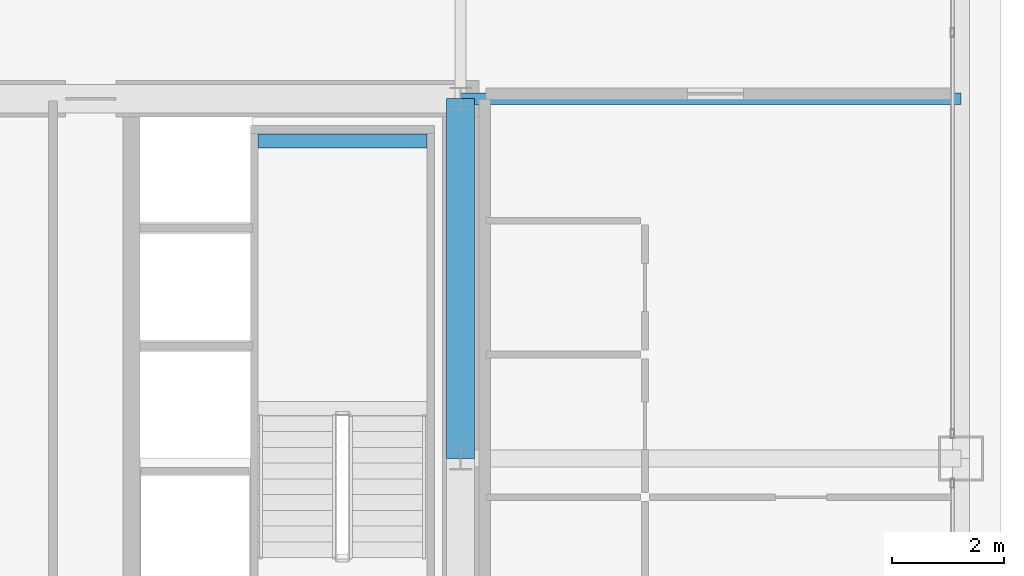
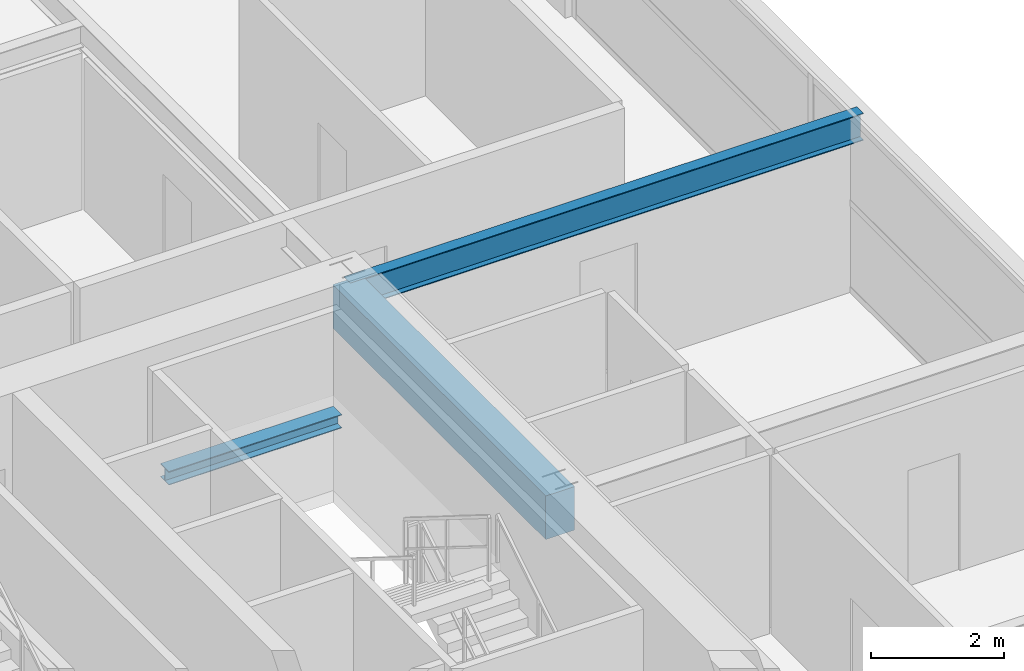
# One storey, part 24 of 42: 3 beams.
"""IFC4 building model written with IfcOpenShell, lengths in metres."""

from ifc_helpers import new_model, si_unit, direction, frame, origin, origin_2d, place, context, subcontext, project, spatial, rectangle, i_section, extrude, source, transform, mapped, material, material_profile, profile_set, type_object, element, save


model = new_model("IFC4")

# Units and contexts
model_context = context("Model", 3, precision=1e-05, world=origin(), true_north=direction((0.0, 1.0)))
body_context = subcontext(model_context, "Body", "Model", "MODEL_VIEW")
ifc_project = project(units=[si_unit("LENGTHUNIT", "METRE"), si_unit("AREAUNIT", "SQUARE_METRE"), si_unit("VOLUMEUNIT", "CUBIC_METRE"), si_unit("PLANEANGLEUNIT", "RADIAN"), si_unit("MASSUNIT", "GRAM", prefix="KILO"), si_unit("THERMODYNAMICTEMPERATUREUNIT", "KELVIN"), si_unit("POWERUNIT", "WATT")], contexts=[model_context])

# Site, building, storey
site_placement = place(None, origin())
site = spatial("IfcSite", under=ifc_project, at=site_placement, CompositionType="ELEMENT")
building_placement = place(site_placement, origin())
building = spatial("IfcBuilding", under=site, at=building_placement, Name="Yuzanri Waterfront Tower", CompositionType="ELEMENT")
storey_placement = place(building_placement, frame((0.0, 0.0, 184.5)))
storey = spatial("IfcBuildingStorey", under=building, at=storey_placement, Name="L48", CompositionType="ELEMENT", Elevation=184.5)

# Beams
ifc_material_1 = material(Name="Steel Q355B", Category="steel")
ifc_material_profile_1 = material_profile(ifc_material_1, i_section(OverallWidth=0.199951171875, OverallDepth=0.5, WebThickness=0.010009765625, FlangeThickness=0.01611328125, at=origin_2d()), Name="HN 500x200x10x16")
ifc_profile_set_1 = profile_set([ifc_material_profile_1], Name="Steel Q355B")
beam_type_1 = type_object("IfcBeamType", Name="Secondary Floor Beam Q355B HN 500x200", PredefinedType="BEAM", material=ifc_profile_set_1)
shared_shape_1 = source(origin(), body_context, "Body", "SweptSolid", [
    extrude(i_section(OverallWidth=0.199951171875, OverallDepth=0.5, WebThickness=0.010009765625, FlangeThickness=0.01611328125, at=origin_2d()), origin(), (0.0, 0.0, 1.0), 8.900146484375),
])
beam_1_placement = place(storey_placement, frame((50.199951171875, 32.199951171875, 3.030029296875), z_axis=(1.0, 0.0, 0.0), x_axis=(0.0, 1.0, 0.0)))
element("IfcBeam", 1, at=beam_1_placement, inside=storey, type_object=beam_type_1, Name="L48 East-North Core Line Beam", PredefinedType="BEAM", context=body_context, shape_type="MappedRepresentation", body=[
    mapped(shared_shape_1, transform((0.0, 0.0, 0.0), scale=1.0)),
])
ifc_material_2 = material(Name="Concrete C50", Category="concrete")
ifc_material_profile_2 = material_profile(ifc_material_2, rectangle(XDim=0.5, YDim=0.800048828125, at=origin_2d()), Name="RC 500x800")
ifc_profile_set_2 = profile_set([ifc_material_profile_2], Name="Concrete C50")
beam_type_2 = type_object("IfcBeamType", Name="Core Coupling Lintel Concrete C50 500x800", PredefinedType="LINTEL", material=ifc_profile_set_2)
shared_shape_2 = source(origin(), body_context, "Body", "SweptSolid", [
    extrude(rectangle(XDim=0.5, YDim=0.800048828125, at=origin_2d()), origin(), (0.0, 0.0, 1.0), 6.39990234375),
])
beam_2_placement = place(storey_placement, frame((50.199951171875, 25.800048828125, 2.8798828125), z_axis=(0.0, 1.0, 0.0), x_axis=(-1.0, 0.0, 0.0)))
element("IfcBeam", 2, at=beam_2_placement, inside=storey, type_object=beam_type_2, Name="L48 Core Tie Beam CE2", PredefinedType="LINTEL", context=body_context, shape_type="MappedRepresentation", body=[
    mapped(shared_shape_2, transform((0.0, 0.0, 0.0), scale=1.0)),
])
ifc_material_3 = material(Name="Steel Q355B", Category="steel")
ifc_material_profile_3 = material_profile(ifc_material_3, i_section(OverallWidth=0.25, OverallDepth=0.25, WebThickness=0.009033203125, FlangeThickness=0.013916015625, at=origin_2d()), Name="HW 250x250x9x14")
ifc_profile_set_3 = profile_set([ifc_material_profile_3], Name="Steel Q355B")
beam_type_3 = type_object("IfcBeamType", Name="Stair Landing Support Beam Q355B HW 250x250", PredefinedType="BEAM", material=ifc_profile_set_3)
shared_shape_3 = source(origin(), body_context, "Body", "SweptSolid", [
    extrude(i_section(OverallWidth=0.25, OverallDepth=0.25, WebThickness=0.009033203125, FlangeThickness=0.013916015625, at=origin_2d()), origin(), (0.0, 0.0, 1.0), 3.0),
])
beam_3_placement = place(storey_placement, frame((46.60009765625, 31.449951171875, 1.425048828125), z_axis=(1.0, 0.0, 0.0), x_axis=(0.0, 1.0, 0.0)))
element("IfcBeam", 3, at=beam_3_placement, inside=storey, type_object=beam_type_3, Name="L48 Stair Landing Support Beam ST-02-L48-L1-2", PredefinedType="BEAM", context=body_context, shape_type="MappedRepresentation", body=[
    mapped(shared_shape_3, transform((0.0, 0.0, 0.0), scale=1.0)),
])

save(model, "model.ifc")
